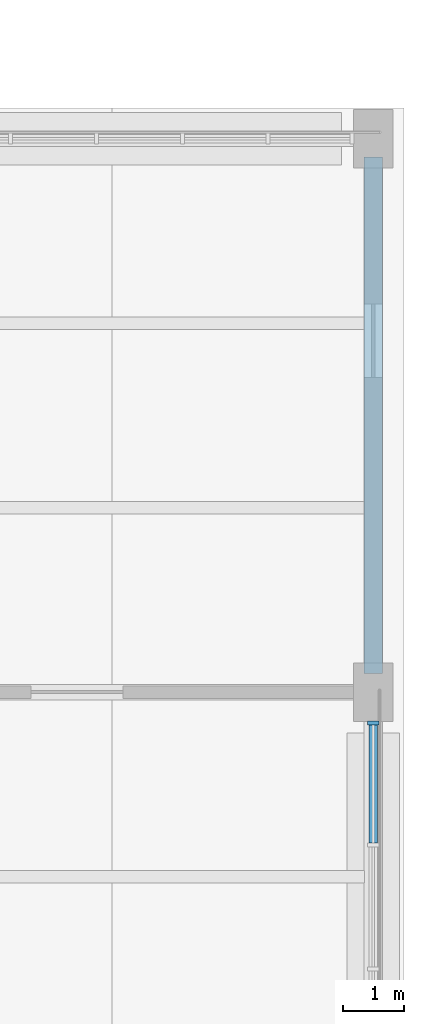
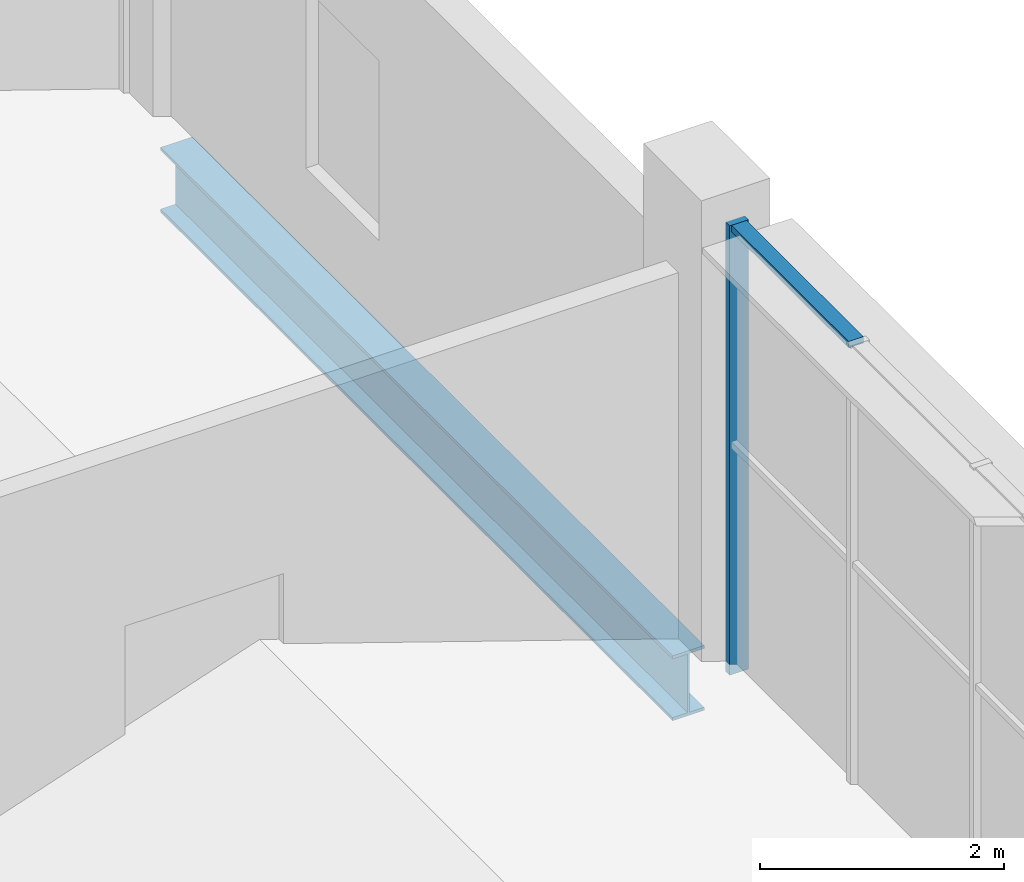
# One storey, part 38 of 179: 2 members, 1 beam, 1 element without a shape of its own.
"""IFC4 building model written with IfcOpenShell, lengths in metres."""

from ifc_helpers import new_model, si_unit, direction, frame, origin, origin_2d, place, context, subcontext, project, spatial, rectangle, i_section, extrude, material, material_profile, profile_set, type_object, element, aggregate, save


model = new_model("IFC4")

# Units and contexts
model_context = context("Model", 3, precision=1e-05, world=origin(), true_north=direction((0.0, 1.0)))
body_context = subcontext(model_context, "Body", "Model", "MODEL_VIEW")
ifc_project = project(units=[si_unit("LENGTHUNIT", "METRE"), si_unit("AREAUNIT", "SQUARE_METRE"), si_unit("VOLUMEUNIT", "CUBIC_METRE"), si_unit("PLANEANGLEUNIT", "RADIAN"), si_unit("MASSUNIT", "GRAM", prefix="KILO")], contexts=[model_context])

# Site, building, storey
site_placement = place(None, origin())
site = spatial("IfcSite", under=ifc_project, at=site_placement, CompositionType="ELEMENT")
building_placement = place(site_placement, origin())
building = spatial("IfcBuilding", under=site, at=building_placement, Name="Zevraka Park Crest Stadium", CompositionType="ELEMENT")
storey_placement = place(building_placement, frame((0.0, 0.0, 10.199951171875)))
storey = spatial("IfcBuildingStorey", under=building, at=storey_placement, Name="L02", CompositionType="ELEMENT", Elevation=10.199951171875)

# Beam
ifc_material_1 = material(Name="Steel S355", Category="steel")
ifc_material_profile_1 = material_profile(ifc_material_1, i_section(OverallWidth=0.300048828125, OverallDepth=0.64990234375, WebThickness=0.01611328125, FlangeThickness=0.031005859375, at=origin_2d()), Name="HEB 650")
ifc_profile_set_1 = profile_set([ifc_material_profile_1], Name="Steel S355")
beam_type = type_object("IfcBeamType", Name="BG07", PredefinedType="BEAM", material=ifc_profile_set_1)
beam_placement = place(storey_placement, frame((224.0, 18.300048828125, -0.613037109375), z_axis=(0.0, 1.0, 0.0), x_axis=(-1.0, 0.0, 0.0)))
element("IfcBeam", 1, at=beam_placement, inside=storey, type_object=beam_type, Name="Wing Girder BG07 L02-25/CD", PredefinedType="BEAM", context=body_context, shape_type="SweptSolid", body=[
    extrude(i_section(OverallWidth=0.300048828125, OverallDepth=0.64990234375, WebThickness=0.01611328125, FlangeThickness=0.031005859375, at=origin_2d()), origin(), (0.0, 0.0, 1.0), 8.39990234375),
])

# Curtain wall, members
ifc_material_2 = material(Name="Anodised architectural aluminium and laminated safety glass", Category="aluminium")
curtain_wall_type = type_object("IfcCurtainWallType", Name="CW29", PredefinedType="NOTDEFINED", material=ifc_material_2)
curtain_wall_placement = place(storey_placement, origin())
curtain_wall = element("IfcCurtainWall", 2, at=curtain_wall_placement, inside=storey, type_object=curtain_wall_type, Name="Wing Curtain Wall CW29 L02-SE-E-2", PredefinedType="NOTDEFINED")
ifc_material_3 = material(Name="Anodised architectural aluminium", Category="aluminium")
ifc_material_profile_2 = material_profile(ifc_material_3, rectangle(XDim=0.179931640625, YDim=0.06494140625, at=origin_2d()), Name="ALU MULLION 180x65")
ifc_profile_set_2 = profile_set([ifc_material_profile_2], Name="Anodised architectural aluminium")
member_type_1 = type_object("IfcMemberType", Name="CM02", PredefinedType="MULLION", material=ifc_profile_set_2)
member_1_placement = place(storey_placement, frame((224.0, 17.50244140625, 0.0), z_axis=(0.0, 0.0, 1.0), x_axis=(1.0, 0.0, 0.0)))
member_1 = element("IfcMember", 3, at=member_1_placement, type_object=member_type_1, Name="CW29 mullion 1", PredefinedType="MULLION", context=body_context, shape_type="SweptSolid", body=[
    extrude(rectangle(XDim=0.179931640625, YDim=0.06494140625, at=origin_2d()), origin(), (0.0, 0.0, 1.0), 4.5),
])
ifc_material_4 = material(Name="Anodised architectural aluminium", Category="aluminium")
ifc_material_profile_3 = material_profile(ifc_material_4, rectangle(XDim=0.139892578125, YDim=0.06494140625, at=origin_2d()), Name="ALU TRANSOM 140x65")
ifc_profile_set_3 = profile_set([ifc_material_profile_3], Name="Anodised architectural aluminium")
member_type_2 = type_object("IfcMemberType", Name="CT02", PredefinedType="USERDEFINED", material=ifc_profile_set_3)
member_2_placement = place(storey_placement, frame((224.0, 17.469970703125, 4.467529296875), z_axis=(0.0, -1.0, 0.0), x_axis=(1.0, 0.0, 0.0)))
member_2 = element("IfcMember", 4, at=member_2_placement, type_object=member_type_2, Name="CW29 transom 1.3", ObjectType="TRANSOM", PredefinedType="USERDEFINED", context=body_context, shape_type="SweptSolid", body=[
    extrude(rectangle(XDim=0.139892578125, YDim=0.06494140625, at=origin_2d()), origin(), (0.0, 0.0, 1.0), 1.919921875),
])
aggregate(curtain_wall, [member_1, member_2])

save(model, "model.ifc")
